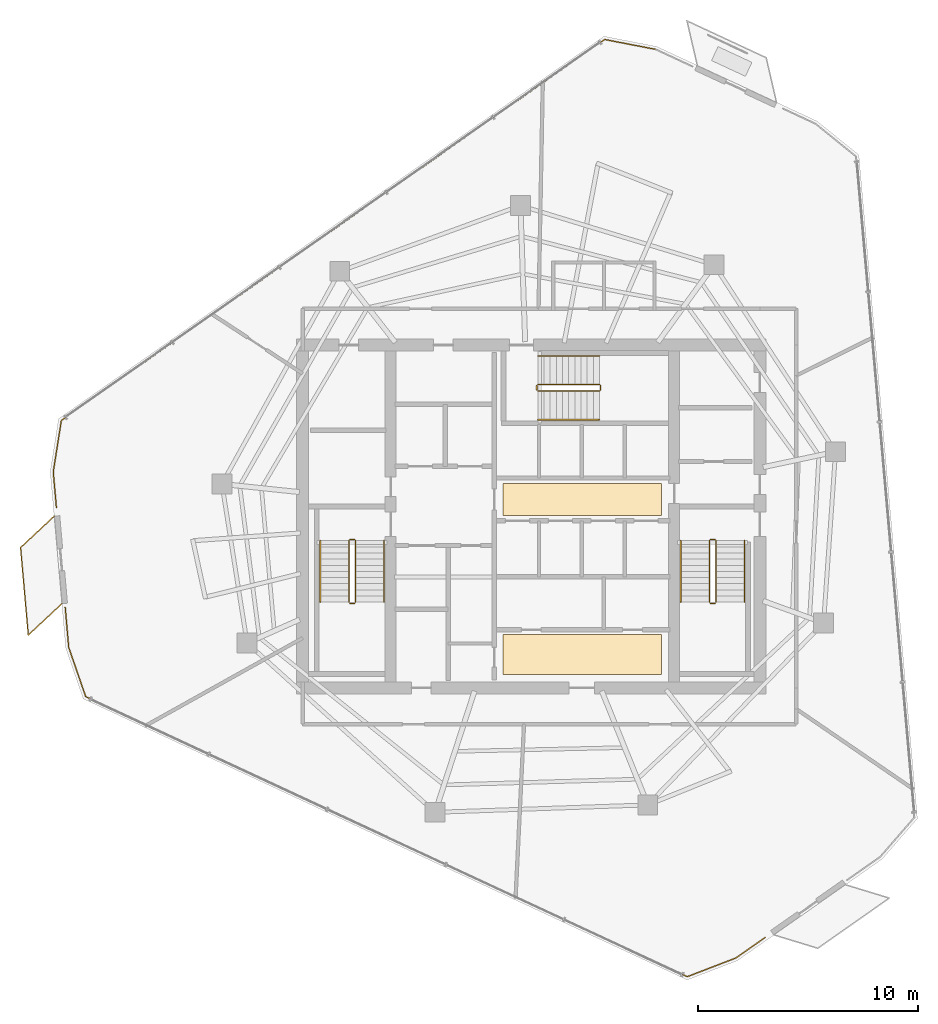
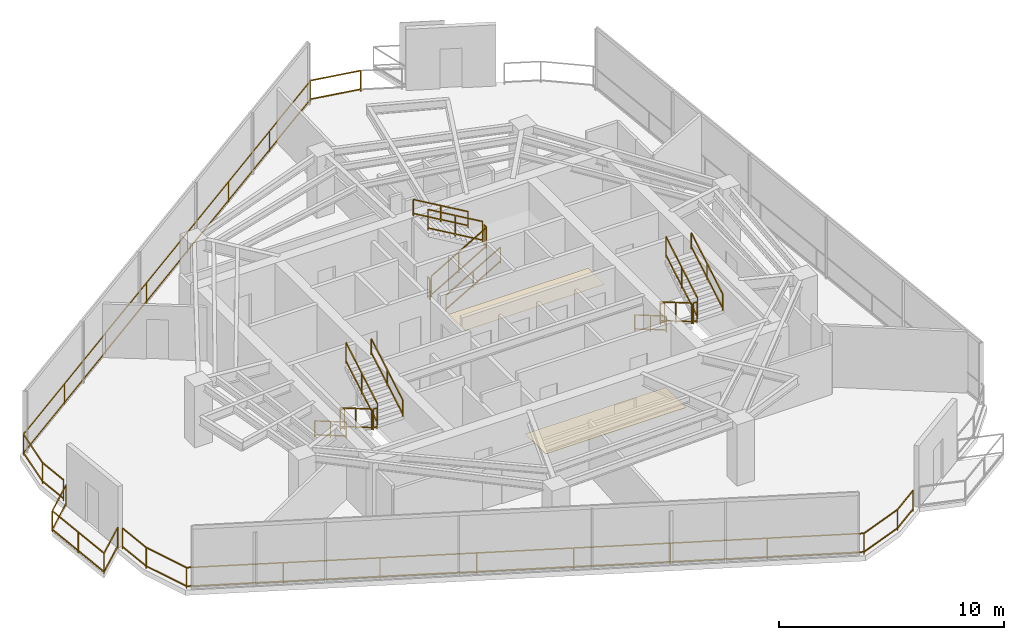
# One storey, part 19 of 20: 21 railings, 2 coverings.
"""IFC4 building model written with IfcOpenShell, lengths in metres."""

from ifc_helpers import new_model, si_unit, direction, frame, origin, origin_2d, place, context, subcontext, project, spatial, rectangle, extrude, material, layer, layer_set, type_object, element, save


model = new_model("IFC4")

# Units and contexts
model_context = context("Model", 3, precision=1e-05, world=origin(), true_north=direction((0.0, 1.0)))
body_context = subcontext(model_context, "Body", "Model", "MODEL_VIEW")
ifc_project = project(units=[si_unit("LENGTHUNIT", "METRE"), si_unit("AREAUNIT", "SQUARE_METRE"), si_unit("VOLUMEUNIT", "CUBIC_METRE"), si_unit("PLANEANGLEUNIT", "RADIAN"), si_unit("MASSUNIT", "GRAM", prefix="KILO")], contexts=[model_context])

# Site, building, storey
site_placement = place(None, origin())
site = spatial("IfcSite", under=ifc_project, at=site_placement, CompositionType="ELEMENT")
building_placement = place(site_placement, origin())
building = spatial("IfcBuilding", under=site, at=building_placement, Name="Qarnah Convention Tower", CompositionType="ELEMENT")
storey_placement = place(building_placement, frame((0.0, 0.0, 198.60009765625)))
storey = spatial("IfcBuildingStorey", under=building, at=storey_placement, Name="L53", CompositionType="ELEMENT", Elevation=198.60009765625)

# Coverings
ifc_material_1 = material(Name="Mineral fibre acoustic ceiling")
ifc_layer_1 = layer(ifc_material_1, 0.02001953125)
ifc_layer_set_1 = layer_set([ifc_layer_1], Name="Mineral fibre acoustic ceiling")
covering_type_1 = type_object("IfcCoveringType", Name="COV-CEIL-20", PredefinedType="CEILING", material=ifc_layer_set_1)
covering_1_placement = place(storey_placement, frame((39.52001953125, 27.179931640625, 2.289794921875), z_axis=(0.0, 0.0, 1.0), x_axis=(1.0, 0.0, 0.0)))
element("IfcCovering", 1, at=covering_1_placement, inside=storey, type_object=covering_type_1, Name="L53 lift lobby acoustic ceiling", PredefinedType="CEILING", context=body_context, shape_type="SweptSolid", body=[
    extrude(rectangle(XDim=7.199951171875, YDim=1.449951171875, at=origin_2d()), origin(), (0.0, 0.0, 1.0), 0.02001953125),
])
ifc_material_2 = material(Name="Porcelain stone floor tile", Category="masonry")
ifc_layer_2 = layer(ifc_material_2, 0.02001953125)
ifc_layer_set_2 = layer_set([ifc_layer_2], Name="Porcelain stone floor tile")
covering_type_2 = type_object("IfcCoveringType", Name="COV-FLOOR-20", PredefinedType="FLOORING", material=ifc_layer_set_2)
covering_2_placement = place(storey_placement, frame((39.52001953125, 20.1201171875, 0.0), z_axis=(0.0, 0.0, 1.0), x_axis=(1.0, 0.0, 0.0)))
element("IfcCovering", 2, at=covering_2_placement, inside=storey, type_object=covering_type_2, Name="L53 lift lobby porcelain stone flooring", PredefinedType="FLOORING", context=body_context, shape_type="SweptSolid", body=[
    extrude(rectangle(XDim=7.199951171875, YDim=1.800048828125, at=origin_2d()), origin(), (0.0, 0.0, 1.0), 0.02001953125),
])

# Railings
ifc_material_3 = material(Name="Black anodised aluminium", Category="aluminium")
railing_type_1 = type_object("IfcRailingType", Name="RL-EXT-GUARD-1150", PredefinedType="GUARDRAIL", material=ifc_material_3)
railing_1_placement = place(storey_placement, frame((47.837890625, 7.2490234375, 0.0)))
element("IfcRailing", 3, at=railing_1_placement, inside=storey, type_object=railing_type_1, Name="L53 slab-edge perimeter safety guard 03", PredefinedType="GUARDRAIL", context=body_context, shape_type="SweptSolid", body=[
    extrude(rectangle(XDim=0.048095703125, YDim=0.048095703125, at=origin_2d()), frame((0.0, 0.0, 1.1259765625), z_axis=(-0.818673304967, -0.574259540394, 0.0), x_axis=(0.574259540394, -0.818673304967, 0.0)), (0.0, 0.0, 1.0), 1.623291015625),
    extrude(rectangle(XDim=0.048095703125, YDim=0.048095703125, at=origin_2d()), frame((0.0, 0.0, 0.1201171875), z_axis=(-0.818673304967, -0.574259540394, 0.0), x_axis=(0.574259540394, -0.818673304967, 0.0)), (0.0, 0.0, 1.0), 1.623291015625),
    extrude(rectangle(XDim=0.048095703125, YDim=0.048095703125, at=origin_2d()), frame((-1.328857421875, -0.93212890625, 1.1259765625), z_axis=(-0.933364207518, -0.358930712149, 0.0), x_axis=(0.358930712149, -0.933364207518, 0.0)), (0.0, 0.0, 1.0), 2.36767578125),
    extrude(rectangle(XDim=0.048095703125, YDim=0.048095703125, at=origin_2d()), frame((-1.328857421875, -0.93212890625, 0.1201171875), z_axis=(-0.933364207518, -0.358930712149, 0.0), x_axis=(0.358930712149, -0.933364207518, 0.0)), (0.0, 0.0, 1.0), 2.36767578125),
    extrude(rectangle(XDim=0.048095703125, YDim=0.048095703125, at=origin_2d()), frame((-3.538818359375, -1.781982421875, 1.1259765625), z_axis=(-0.906605641228, 0.421978922808, 0.0), x_axis=(-0.421978922808, -0.906605641228, 0.0)), (0.0, 0.0, 1.0), 30.1865234375),
    extrude(rectangle(XDim=0.048095703125, YDim=0.048095703125, at=origin_2d()), frame((-3.538818359375, -1.781982421875, 0.1201171875), z_axis=(-0.906605641228, 0.421978922808, 0.0), x_axis=(-0.421978922808, -0.906605641228, 0.0)), (0.0, 0.0, 1.0), 30.1865234375),
    extrude(rectangle(XDim=0.048095703125, YDim=0.048095703125, at=origin_2d()), frame((-30.906005859375, 10.9560546875, 1.1259765625), z_axis=(-0.326238686315, 0.945287426951, 0.0), x_axis=(-0.945287426951, -0.326238686315, 0.0)), (0.0, 0.0, 1.0), 2.3662109375),
    extrude(rectangle(XDim=0.048095703125, YDim=0.048095703125, at=origin_2d()), frame((-30.906005859375, 10.9560546875, 0.1201171875), z_axis=(-0.326238686315, 0.945287426951, 0.0), x_axis=(-0.945287426951, -0.326238686315, 0.0)), (0.0, 0.0, 1.0), 2.3662109375),
    extrude(rectangle(XDim=0.048095703125, YDim=0.048095703125, at=origin_2d()), frame((-31.677978515625, 13.19287109375, 1.1259765625), z_axis=(-0.087668622896, 0.996149693851, 0.0), x_axis=(-0.996149693851, -0.087668622896, 0.0)), (0.0, 0.0, 1.0), 1.835205078125),
    extrude(rectangle(XDim=0.048095703125, YDim=0.048095703125, at=origin_2d()), frame((-31.677978515625, 13.19287109375, 0.1201171875), z_axis=(-0.087668622896, 0.996149693851, 0.0), x_axis=(-0.996149693851, -0.087668622896, 0.0)), (0.0, 0.0, 1.0), 1.835205078125),
    extrude(rectangle(XDim=0.0419921875, YDim=0.0419921875, at=origin_2d()), origin(), (0.0, 0.0, 1.0), 1.101806640625),
    extrude(rectangle(XDim=0.0419921875, YDim=0.0419921875, at=origin_2d()), frame((-1.328857421875, -0.93212890625, 0.0)), (0.0, 0.0, 1.0), 1.101806640625),
    extrude(rectangle(XDim=0.0419921875, YDim=0.0419921875, at=origin_2d()), frame((-3.538818359375, -1.781982421875, 0.0)), (0.0, 0.0, 1.0), 1.101806640625),
    extrude(rectangle(XDim=0.0419921875, YDim=0.0419921875, at=origin_2d()), frame((-7.448486328125, 0.037841796875, 0.0)), (0.0, 0.0, 1.0), 1.101806640625),
    extrude(rectangle(XDim=0.0419921875, YDim=0.0419921875, at=origin_2d()), frame((-11.35791015625, 1.857421875, 0.0)), (0.0, 0.0, 1.0), 1.101806640625),
    extrude(rectangle(XDim=0.0419921875, YDim=0.0419921875, at=origin_2d()), frame((-15.267578125, 3.67724609375, 0.0)), (0.0, 0.0, 1.0), 1.101806640625),
    extrude(rectangle(XDim=0.0419921875, YDim=0.0419921875, at=origin_2d()), frame((-19.17724609375, 5.496826171875, 0.0)), (0.0, 0.0, 1.0), 1.101806640625),
    extrude(rectangle(XDim=0.0419921875, YDim=0.0419921875, at=origin_2d()), frame((-23.0869140625, 7.316650390625, 0.0)), (0.0, 0.0, 1.0), 1.101806640625),
    extrude(rectangle(XDim=0.0419921875, YDim=0.0419921875, at=origin_2d()), frame((-26.996337890625, 9.13623046875, 0.0)), (0.0, 0.0, 1.0), 1.101806640625),
    extrude(rectangle(XDim=0.0419921875, YDim=0.0419921875, at=origin_2d()), frame((-30.906005859375, 10.9560546875, 0.0)), (0.0, 0.0, 1.0), 1.101806640625),
    extrude(rectangle(XDim=0.0419921875, YDim=0.0419921875, at=origin_2d()), frame((-31.677978515625, 13.19287109375, 0.0)), (0.0, 0.0, 1.0), 1.101806640625),
    extrude(rectangle(XDim=0.0419921875, YDim=0.0419921875, at=origin_2d()), frame((-31.8388671875, 15.02099609375, 0.0)), (0.0, 0.0, 1.0), 1.101806640625),
])
railing_2_placement = place(storey_placement, frame((15.59912109375, 26.81005859375, 0.0)))
element("IfcRailing", 4, at=railing_2_placement, inside=storey, type_object=railing_type_1, Name="L53 slab-edge perimeter safety guard 04", PredefinedType="GUARDRAIL", context=body_context, shape_type="SweptSolid", body=[
    extrude(rectangle(XDim=0.048095703125, YDim=0.048095703125, at=origin_2d()), frame((0.0, 0.0, 1.1259765625), z_axis=(-0.088135224566, 0.996108519284, 0.0), x_axis=(-0.996108519284, -0.088135224566, 0.0)), (0.0, 0.0, 1.0), 1.623291015625),
    extrude(rectangle(XDim=0.048095703125, YDim=0.048095703125, at=origin_2d()), frame((0.0, 0.0, 0.1201171875), z_axis=(-0.088135224566, 0.996108519284, 0.0), x_axis=(-0.996108519284, -0.088135224566, 0.0)), (0.0, 0.0, 1.0), 1.623291015625),
    extrude(rectangle(XDim=0.048095703125, YDim=0.048095703125, at=origin_2d()), frame((-0.14306640625, 1.616943359375, 1.1259765625), z_axis=(0.155380139055, 0.987854752677, 0.0), x_axis=(-0.987854752677, 0.155380139055, 0.0)), (0.0, 0.0, 1.0), 2.367919921875),
    extrude(rectangle(XDim=0.048095703125, YDim=0.048095703125, at=origin_2d()), frame((-0.14306640625, 1.616943359375, 0.1201171875), z_axis=(0.155380139055, 0.987854752677, 0.0), x_axis=(-0.987854752677, 0.155380139055, 0.0)), (0.0, 0.0, 1.0), 2.367919921875),
    extrude(rectangle(XDim=0.048095703125, YDim=0.048095703125, at=origin_2d()), frame((0.224853515625, 3.9560546875, 1.1259765625), z_axis=(0.818771528049, 0.574119486567, 0.0), x_axis=(-0.574119486567, 0.818771528049, 0.0)), (0.0, 0.0, 1.0), 30.186767578125),
    extrude(rectangle(XDim=0.048095703125, YDim=0.048095703125, at=origin_2d()), frame((0.224853515625, 3.9560546875, 0.1201171875), z_axis=(0.818771528049, 0.574119486567, 0.0), x_axis=(-0.574119486567, 0.818771528049, 0.0)), (0.0, 0.0, 1.0), 30.186767578125),
    extrude(rectangle(XDim=0.048095703125, YDim=0.048095703125, at=origin_2d()), frame((24.94091796875, 21.286865234375, 1.1259765625), z_axis=(0.981753140481, -0.190159856848, 0.0), x_axis=(0.190159856848, 0.981753140481, 0.0)), (0.0, 0.0, 1.0), 2.3662109375),
    extrude(rectangle(XDim=0.048095703125, YDim=0.048095703125, at=origin_2d()), frame((24.94091796875, 21.286865234375, 0.1201171875), z_axis=(0.981753140481, -0.190159856848, 0.0), x_axis=(0.190159856848, 0.981753140481, 0.0)), (0.0, 0.0, 1.0), 2.3662109375),
    extrude(rectangle(XDim=0.0419921875, YDim=0.0419921875, at=origin_2d()), origin(), (0.0, 0.0, 1.0), 1.101806640625),
    extrude(rectangle(XDim=0.0419921875, YDim=0.0419921875, at=origin_2d()), frame((-0.14306640625, 1.616943359375, 0.0)), (0.0, 0.0, 1.0), 1.101806640625),
    extrude(rectangle(XDim=0.0419921875, YDim=0.0419921875, at=origin_2d()), frame((0.224853515625, 3.9560546875, 0.0)), (0.0, 0.0, 1.0), 1.101806640625),
    extrude(rectangle(XDim=0.0419921875, YDim=0.0419921875, at=origin_2d()), frame((3.755615234375, 6.431884765625, 0.0)), (0.0, 0.0, 1.0), 1.101806640625),
    extrude(rectangle(XDim=0.0419921875, YDim=0.0419921875, at=origin_2d()), frame((7.28662109375, 8.90771484375, 0.0)), (0.0, 0.0, 1.0), 1.101806640625),
    extrude(rectangle(XDim=0.0419921875, YDim=0.0419921875, at=origin_2d()), frame((10.8173828125, 11.383544921875, 0.0)), (0.0, 0.0, 1.0), 1.101806640625),
    extrude(rectangle(XDim=0.0419921875, YDim=0.0419921875, at=origin_2d()), frame((14.348388671875, 13.859375, 0.0)), (0.0, 0.0, 1.0), 1.101806640625),
    extrude(rectangle(XDim=0.0419921875, YDim=0.0419921875, at=origin_2d()), frame((17.879150390625, 16.335205078125, 0.0)), (0.0, 0.0, 1.0), 1.101806640625),
    extrude(rectangle(XDim=0.0419921875, YDim=0.0419921875, at=origin_2d()), frame((21.41015625, 18.81103515625, 0.0)), (0.0, 0.0, 1.0), 1.101806640625),
    extrude(rectangle(XDim=0.0419921875, YDim=0.0419921875, at=origin_2d()), frame((24.94091796875, 21.286865234375, 0.0)), (0.0, 0.0, 1.0), 1.101806640625),
    extrude(rectangle(XDim=0.0419921875, YDim=0.0419921875, at=origin_2d()), frame((27.263916015625, 20.8369140625, 0.0)), (0.0, 0.0, 1.0), 1.101806640625),
])
railing_3_placement = place(storey_placement, frame((15.84912109375, 22.430908203125, 0.0)))
element("IfcRailing", 5, at=railing_3_placement, inside=storey, type_object=railing_type_1, Name="L53 balcony safety guard BAL-L53-C2", PredefinedType="GUARDRAIL", context=body_context, shape_type="SweptSolid", body=[
    extrude(rectangle(XDim=0.048095703125, YDim=0.048095703125, at=origin_2d()), frame((0.0, 0.0, 1.1259765625), z_axis=(-0.730834185258, -0.682555048079, 0.0), x_axis=(0.682555048079, -0.730834185258, 0.0)), (0.0, 0.0, 1.0), 2.093505859375),
    extrude(rectangle(XDim=0.048095703125, YDim=0.048095703125, at=origin_2d()), frame((0.0, 0.0, 0.1201171875), z_axis=(-0.730834185258, -0.682555048079, 0.0), x_axis=(0.682555048079, -0.730834185258, 0.0)), (0.0, 0.0, 1.0), 2.093505859375),
    extrude(rectangle(XDim=0.048095703125, YDim=0.048095703125, at=origin_2d()), frame((-1.530029296875, -1.428955078125, 1.1259765625), z_axis=(-0.088020291634, 0.996118681815, 0.0), x_axis=(-0.996118681815, -0.088020291634, 0.0)), (0.0, 0.0, 1.0), 3.999755859375),
    extrude(rectangle(XDim=0.048095703125, YDim=0.048095703125, at=origin_2d()), frame((-1.530029296875, -1.428955078125, 0.1201171875), z_axis=(-0.088020291634, 0.996118681815, 0.0), x_axis=(-0.996118681815, -0.088020291634, 0.0)), (0.0, 0.0, 1.0), 3.999755859375),
    extrude(rectangle(XDim=0.048095703125, YDim=0.048095703125, at=origin_2d()), frame((-1.882080078125, 2.55517578125, 1.1259765625), z_axis=(0.731051391577, 0.682322403907, 0.0), x_axis=(-0.682322403907, 0.731051391577, 0.0)), (0.0, 0.0, 1.0), 2.09423828125),
    extrude(rectangle(XDim=0.048095703125, YDim=0.048095703125, at=origin_2d()), frame((-1.882080078125, 2.55517578125, 0.1201171875), z_axis=(0.731051391577, 0.682322403907, 0.0), x_axis=(-0.682322403907, 0.731051391577, 0.0)), (0.0, 0.0, 1.0), 2.09423828125),
    extrude(rectangle(XDim=0.0419921875, YDim=0.0419921875, at=origin_2d()), origin(), (0.0, 0.0, 1.0), 1.101806640625),
    extrude(rectangle(XDim=0.0419921875, YDim=0.0419921875, at=origin_2d()), frame((-1.530029296875, -1.428955078125, 0.0)), (0.0, 0.0, 1.0), 1.101806640625),
    extrude(rectangle(XDim=0.0419921875, YDim=0.0419921875, at=origin_2d()), frame((-1.7060546875, 0.56298828125, 0.0)), (0.0, 0.0, 1.0), 1.101806640625),
    extrude(rectangle(XDim=0.0419921875, YDim=0.0419921875, at=origin_2d()), frame((-1.882080078125, 2.55517578125, 0.0)), (0.0, 0.0, 1.0), 1.101806640625),
    extrude(rectangle(XDim=0.0419921875, YDim=0.0419921875, at=origin_2d()), frame((-0.35107421875, 3.984130859375, 0.0)), (0.0, 0.0, 1.0), 1.101806640625),
])
ifc_material_4 = material(Name="Structural steel S355JR", Category="steel")
railing_type_2 = type_object("IfcRailingType", Name="RL-STAIR-GUARD-1150", PredefinedType="GUARDRAIL", material=ifc_material_4)
railing_4_placement = place(storey_placement, frame((28.89990234375, 25.300048828125, 0.16357421875)))
element("IfcRailing", 6, at=railing_4_placement, inside=storey, type_object=railing_type_2, Name="L53 ST-1 stair guard 1", PredefinedType="GUARDRAIL", context=body_context, shape_type="SweptSolid", body=[
    extrude(rectangle(XDim=0.048095703125, YDim=0.048095703125, at=origin_2d()), frame((0.0, 0.0, 1.1259765625), z_axis=(0.0, -0.863393664356, 0.504530851732), x_axis=(1.0, 0.0, 0.0)), (0.0, 0.0, 1.0), 3.2431640625),
    extrude(rectangle(XDim=0.048095703125, YDim=0.048095703125, at=origin_2d()), frame((0.0, 0.0, 0.1201171875), z_axis=(0.0, -0.863393664356, 0.504530851732), x_axis=(1.0, 0.0, 0.0)), (0.0, 0.0, 1.0), 3.2431640625),
    extrude(rectangle(XDim=0.0419921875, YDim=0.0419921875, at=origin_2d()), origin(), (0.0, 0.0, 1.0), 1.101806640625),
    extrude(rectangle(XDim=0.0419921875, YDim=0.0419921875, at=origin_2d()), frame((0.0, -1.39990234375, 0.818115234375)), (0.0, 0.0, 1.0), 1.101806640625),
    extrude(rectangle(XDim=0.0419921875, YDim=0.0419921875, at=origin_2d()), frame((0.0, -2.800048828125, 1.63623046875)), (0.0, 0.0, 1.0), 1.101806640625),
])
railing_5_placement = place(storey_placement, frame((28.949951171875, 22.449951171875, 1.7998046875)))
element("IfcRailing", 7, at=railing_5_placement, inside=storey, type_object=railing_type_2, Name="L53 ST-1 stair guard 2", PredefinedType="GUARDRAIL", context=body_context, shape_type="SweptSolid", body=[
    extrude(rectangle(XDim=0.048095703125, YDim=0.048095703125, at=origin_2d()), frame((0.0, 0.0, 1.1259765625), z_axis=(1.0, 0.0, 0.0), x_axis=(0.0, 1.0, 0.0)), (0.0, 0.0, 1.0), 0.199951171875),
    extrude(rectangle(XDim=0.048095703125, YDim=0.048095703125, at=origin_2d()), frame((0.0, 0.0, 0.1201171875), z_axis=(1.0, 0.0, 0.0), x_axis=(0.0, 1.0, 0.0)), (0.0, 0.0, 1.0), 0.199951171875),
    extrude(rectangle(XDim=0.0419921875, YDim=0.0419921875, at=origin_2d()), origin(), (0.0, 0.0, 1.0), 1.101806640625),
    extrude(rectangle(XDim=0.0419921875, YDim=0.0419921875, at=origin_2d()), frame((0.199951171875, 0.0, 0.0)), (0.0, 0.0, 1.0), 1.101806640625),
])
railing_6_placement = place(storey_placement, frame((29.199951171875, 22.5, 1.963623046875)))
element("IfcRailing", 8, at=railing_6_placement, inside=storey, type_object=railing_type_2, Name="L53 ST-1 stair guard 3", PredefinedType="GUARDRAIL", context=body_context, shape_type="SweptSolid", body=[
    extrude(rectangle(XDim=0.048095703125, YDim=0.048095703125, at=origin_2d()), frame((0.0, 0.0, 1.1259765625), z_axis=(0.0, 0.863393664356, 0.504530851732), x_axis=(-1.0, 0.0, 0.0)), (0.0, 0.0, 1.0), 3.2431640625),
    extrude(rectangle(XDim=0.048095703125, YDim=0.048095703125, at=origin_2d()), frame((0.0, 0.0, 0.1201171875), z_axis=(0.0, 0.863393664356, 0.504530851732), x_axis=(-1.0, 0.0, 0.0)), (0.0, 0.0, 1.0), 3.2431640625),
    extrude(rectangle(XDim=0.0419921875, YDim=0.0419921875, at=origin_2d()), origin(), (0.0, 0.0, 1.0), 1.101806640625),
    extrude(rectangle(XDim=0.0419921875, YDim=0.0419921875, at=origin_2d()), frame((0.0, 1.39990234375, 0.818115234375)), (0.0, 0.0, 1.0), 1.101806640625),
    extrude(rectangle(XDim=0.0419921875, YDim=0.0419921875, at=origin_2d()), frame((0.0, 2.800048828125, 1.63623046875)), (0.0, 0.0, 1.0), 1.101806640625),
])
railing_7_placement = place(storey_placement, frame((28.949951171875, 25.35009765625, 0.0)))
element("IfcRailing", 9, at=railing_7_placement, inside=storey, type_object=railing_type_2, Name="L53 ST-1 stair guard 4", PredefinedType="GUARDRAIL", context=body_context, shape_type="SweptSolid", body=[
    extrude(rectangle(XDim=0.048095703125, YDim=0.048095703125, at=origin_2d()), frame((0.0, 0.0, 1.1259765625), z_axis=(1.0, 0.0, 0.0), x_axis=(0.0, 1.0, 0.0)), (0.0, 0.0, 1.0), 0.199951171875),
    extrude(rectangle(XDim=0.048095703125, YDim=0.048095703125, at=origin_2d()), frame((0.0, 0.0, 0.1201171875), z_axis=(1.0, 0.0, 0.0), x_axis=(0.0, 1.0, 0.0)), (0.0, 0.0, 1.0), 0.199951171875),
    extrude(rectangle(XDim=0.0419921875, YDim=0.0419921875, at=origin_2d()), origin(), (0.0, 0.0, 1.0), 1.101806640625),
    extrude(rectangle(XDim=0.0419921875, YDim=0.0419921875, at=origin_2d()), frame((0.199951171875, 0.0, 0.0)), (0.0, 0.0, 1.0), 1.101806640625),
])
railing_8_placement = place(storey_placement, frame((45.300048828125, 25.300048828125, 0.16357421875)))
element("IfcRailing", 10, at=railing_8_placement, inside=storey, type_object=railing_type_2, Name="L53 ST-2 stair guard 1", PredefinedType="GUARDRAIL", context=body_context, shape_type="SweptSolid", body=[
    extrude(rectangle(XDim=0.048095703125, YDim=0.048095703125, at=origin_2d()), frame((0.0, 0.0, 1.1259765625), z_axis=(0.0, -0.863393664356, 0.504530851732), x_axis=(1.0, 0.0, 0.0)), (0.0, 0.0, 1.0), 3.2431640625),
    extrude(rectangle(XDim=0.048095703125, YDim=0.048095703125, at=origin_2d()), frame((0.0, 0.0, 0.1201171875), z_axis=(0.0, -0.863393664356, 0.504530851732), x_axis=(1.0, 0.0, 0.0)), (0.0, 0.0, 1.0), 3.2431640625),
    extrude(rectangle(XDim=0.0419921875, YDim=0.0419921875, at=origin_2d()), origin(), (0.0, 0.0, 1.0), 1.101806640625),
    extrude(rectangle(XDim=0.0419921875, YDim=0.0419921875, at=origin_2d()), frame((0.0, -1.39990234375, 0.818115234375)), (0.0, 0.0, 1.0), 1.101806640625),
    extrude(rectangle(XDim=0.0419921875, YDim=0.0419921875, at=origin_2d()), frame((0.0, -2.800048828125, 1.63623046875)), (0.0, 0.0, 1.0), 1.101806640625),
])
railing_9_placement = place(storey_placement, frame((45.35009765625, 22.449951171875, 1.7998046875)))
element("IfcRailing", 11, at=railing_9_placement, inside=storey, type_object=railing_type_2, Name="L53 ST-2 stair guard 2", PredefinedType="GUARDRAIL", context=body_context, shape_type="SweptSolid", body=[
    extrude(rectangle(XDim=0.048095703125, YDim=0.048095703125, at=origin_2d()), frame((0.0, 0.0, 1.1259765625), z_axis=(1.0, 0.0, 0.0), x_axis=(0.0, 1.0, 0.0)), (0.0, 0.0, 1.0), 0.199951171875),
    extrude(rectangle(XDim=0.048095703125, YDim=0.048095703125, at=origin_2d()), frame((0.0, 0.0, 0.1201171875), z_axis=(1.0, 0.0, 0.0), x_axis=(0.0, 1.0, 0.0)), (0.0, 0.0, 1.0), 0.199951171875),
    extrude(rectangle(XDim=0.0419921875, YDim=0.0419921875, at=origin_2d()), origin(), (0.0, 0.0, 1.0), 1.101806640625),
    extrude(rectangle(XDim=0.0419921875, YDim=0.0419921875, at=origin_2d()), frame((0.199951171875, 0.0, 0.0)), (0.0, 0.0, 1.0), 1.101806640625),
])
railing_10_placement = place(storey_placement, frame((45.60009765625, 22.5, 1.963623046875)))
element("IfcRailing", 12, at=railing_10_placement, inside=storey, type_object=railing_type_2, Name="L53 ST-2 stair guard 3", PredefinedType="GUARDRAIL", context=body_context, shape_type="SweptSolid", body=[
    extrude(rectangle(XDim=0.048095703125, YDim=0.048095703125, at=origin_2d()), frame((0.0, 0.0, 1.1259765625), z_axis=(0.0, 0.863393664356, 0.504530851732), x_axis=(-1.0, 0.0, 0.0)), (0.0, 0.0, 1.0), 3.2431640625),
    extrude(rectangle(XDim=0.048095703125, YDim=0.048095703125, at=origin_2d()), frame((0.0, 0.0, 0.1201171875), z_axis=(0.0, 0.863393664356, 0.504530851732), x_axis=(-1.0, 0.0, 0.0)), (0.0, 0.0, 1.0), 3.2431640625),
    extrude(rectangle(XDim=0.0419921875, YDim=0.0419921875, at=origin_2d()), origin(), (0.0, 0.0, 1.0), 1.101806640625),
    extrude(rectangle(XDim=0.0419921875, YDim=0.0419921875, at=origin_2d()), frame((0.0, 1.39990234375, 0.818115234375)), (0.0, 0.0, 1.0), 1.101806640625),
    extrude(rectangle(XDim=0.0419921875, YDim=0.0419921875, at=origin_2d()), frame((0.0, 2.800048828125, 1.63623046875)), (0.0, 0.0, 1.0), 1.101806640625),
])
railing_11_placement = place(storey_placement, frame((45.35009765625, 25.35009765625, 0.0)))
element("IfcRailing", 13, at=railing_11_placement, inside=storey, type_object=railing_type_2, Name="L53 ST-2 stair guard 4", PredefinedType="GUARDRAIL", context=body_context, shape_type="SweptSolid", body=[
    extrude(rectangle(XDim=0.048095703125, YDim=0.048095703125, at=origin_2d()), frame((0.0, 0.0, 1.1259765625), z_axis=(1.0, 0.0, 0.0), x_axis=(0.0, 1.0, 0.0)), (0.0, 0.0, 1.0), 0.199951171875),
    extrude(rectangle(XDim=0.048095703125, YDim=0.048095703125, at=origin_2d()), frame((0.0, 0.0, 0.1201171875), z_axis=(1.0, 0.0, 0.0), x_axis=(0.0, 1.0, 0.0)), (0.0, 0.0, 1.0), 0.199951171875),
    extrude(rectangle(XDim=0.0419921875, YDim=0.0419921875, at=origin_2d()), origin(), (0.0, 0.0, 1.0), 1.101806640625),
    extrude(rectangle(XDim=0.0419921875, YDim=0.0419921875, at=origin_2d()), frame((0.199951171875, 0.0, 0.0)), (0.0, 0.0, 1.0), 1.101806640625),
])
railing_12_placement = place(storey_placement, frame((37.5, 32.10009765625, 0.16357421875)))
element("IfcRailing", 14, at=railing_12_placement, inside=storey, type_object=railing_type_2, Name="L53 ST-3 stair guard 1", PredefinedType="GUARDRAIL", context=body_context, shape_type="SweptSolid", body=[
    extrude(rectangle(XDim=0.048095703125, YDim=0.048095703125, at=origin_2d()), frame((0.0, 0.0, 1.1259765625), z_axis=(0.863393664356, 0.0, 0.504530851732), x_axis=(0.0, 1.0, 0.0)), (0.0, 0.0, 1.0), 3.2431640625),
    extrude(rectangle(XDim=0.048095703125, YDim=0.048095703125, at=origin_2d()), frame((0.0, 0.0, 0.1201171875), z_axis=(0.863393664356, 0.0, 0.504530851732), x_axis=(0.0, 1.0, 0.0)), (0.0, 0.0, 1.0), 3.2431640625),
    extrude(rectangle(XDim=0.0419921875, YDim=0.0419921875, at=origin_2d()), origin(), (0.0, 0.0, 1.0), 1.101806640625),
    extrude(rectangle(XDim=0.0419921875, YDim=0.0419921875, at=origin_2d()), frame((1.39990234375, 0.0, 0.818115234375)), (0.0, 0.0, 1.0), 1.101806640625),
    extrude(rectangle(XDim=0.0419921875, YDim=0.0419921875, at=origin_2d()), frame((2.800048828125, 0.0, 1.63623046875)), (0.0, 0.0, 1.0), 1.101806640625),
])
railing_13_placement = place(storey_placement, frame((40.35009765625, 32.14990234375, 1.7998046875)))
element("IfcRailing", 15, at=railing_13_placement, inside=storey, type_object=railing_type_2, Name="L53 ST-3 stair guard 2", PredefinedType="GUARDRAIL", context=body_context, shape_type="SweptSolid", body=[
    extrude(rectangle(XDim=0.048095703125, YDim=0.048095703125, at=origin_2d()), frame((0.0, 0.0, 1.1259765625), z_axis=(0.0, 1.0, 0.0), x_axis=(-1.0, 0.0, 0.0)), (0.0, 0.0, 1.0), 0.2001953125),
    extrude(rectangle(XDim=0.048095703125, YDim=0.048095703125, at=origin_2d()), frame((0.0, 0.0, 0.1201171875), z_axis=(0.0, 1.0, 0.0), x_axis=(-1.0, 0.0, 0.0)), (0.0, 0.0, 1.0), 0.2001953125),
    extrude(rectangle(XDim=0.0419921875, YDim=0.0419921875, at=origin_2d()), origin(), (0.0, 0.0, 1.0), 1.101806640625),
    extrude(rectangle(XDim=0.0419921875, YDim=0.0419921875, at=origin_2d()), frame((0.0, 0.2001953125, 0.0)), (0.0, 0.0, 1.0), 1.101806640625),
])
railing_14_placement = place(storey_placement, frame((40.300048828125, 32.39990234375, 1.963623046875)))
element("IfcRailing", 16, at=railing_14_placement, inside=storey, type_object=railing_type_2, Name="L53 ST-3 stair guard 3", PredefinedType="GUARDRAIL", context=body_context, shape_type="SweptSolid", body=[
    extrude(rectangle(XDim=0.048095703125, YDim=0.048095703125, at=origin_2d()), frame((0.0, 0.0, 1.1259765625), z_axis=(-0.863393664356, 0.0, 0.504530851732), x_axis=(0.0, -1.0, 0.0)), (0.0, 0.0, 1.0), 3.2431640625),
    extrude(rectangle(XDim=0.048095703125, YDim=0.048095703125, at=origin_2d()), frame((0.0, 0.0, 0.1201171875), z_axis=(-0.863393664356, 0.0, 0.504530851732), x_axis=(0.0, -1.0, 0.0)), (0.0, 0.0, 1.0), 3.2431640625),
    extrude(rectangle(XDim=0.0419921875, YDim=0.0419921875, at=origin_2d()), origin(), (0.0, 0.0, 1.0), 1.101806640625),
    extrude(rectangle(XDim=0.0419921875, YDim=0.0419921875, at=origin_2d()), frame((-1.39990234375, 0.0, 0.818115234375)), (0.0, 0.0, 1.0), 1.101806640625),
    extrude(rectangle(XDim=0.0419921875, YDim=0.0419921875, at=origin_2d()), frame((-2.800048828125, 0.0, 1.63623046875)), (0.0, 0.0, 1.0), 1.101806640625),
])
railing_15_placement = place(storey_placement, frame((37.449951171875, 32.14990234375, 0.0)))
element("IfcRailing", 17, at=railing_15_placement, inside=storey, type_object=railing_type_2, Name="L53 ST-3 stair guard 4", PredefinedType="GUARDRAIL", context=body_context, shape_type="SweptSolid", body=[
    extrude(rectangle(XDim=0.048095703125, YDim=0.048095703125, at=origin_2d()), frame((0.0, 0.0, 1.1259765625), z_axis=(0.0, 1.0, 0.0), x_axis=(-1.0, 0.0, 0.0)), (0.0, 0.0, 1.0), 0.2001953125),
    extrude(rectangle(XDim=0.048095703125, YDim=0.048095703125, at=origin_2d()), frame((0.0, 0.0, 0.1201171875), z_axis=(0.0, 1.0, 0.0), x_axis=(-1.0, 0.0, 0.0)), (0.0, 0.0, 1.0), 0.2001953125),
    extrude(rectangle(XDim=0.0419921875, YDim=0.0419921875, at=origin_2d()), origin(), (0.0, 0.0, 1.0), 1.101806640625),
    extrude(rectangle(XDim=0.0419921875, YDim=0.0419921875, at=origin_2d()), frame((0.0, 0.2001953125, 0.0)), (0.0, 0.0, 1.0), 1.101806640625),
])
railing_type_3 = type_object("IfcRailingType", Name="RL-STAIR-HAND-900", PredefinedType="HANDRAIL", material=ifc_material_4)
railing_16_placement = place(storey_placement, frame((27.60009765625, 25.300048828125, 0.16357421875)))
element("IfcRailing", 18, at=railing_16_placement, inside=storey, type_object=railing_type_3, Name="L53 ST-1 stair handrail 1", PredefinedType="HANDRAIL", context=body_context, shape_type="SweptSolid", body=[
    extrude(rectangle(XDim=0.048095703125, YDim=0.048095703125, at=origin_2d()), frame((0.0, 0.0, 0.8759765625), z_axis=(0.0, -0.863393664356, 0.504530851732), x_axis=(1.0, 0.0, 0.0)), (0.0, 0.0, 1.0), 3.2431640625),
    extrude(rectangle(XDim=0.048095703125, YDim=0.048095703125, at=origin_2d()), frame((0.0, 0.0, 0.1201171875), z_axis=(0.0, -0.863393664356, 0.504530851732), x_axis=(1.0, 0.0, 0.0)), (0.0, 0.0, 1.0), 3.2431640625),
    extrude(rectangle(XDim=0.0419921875, YDim=0.0419921875, at=origin_2d()), origin(), (0.0, 0.0, 1.0), 0.851806640625),
    extrude(rectangle(XDim=0.0419921875, YDim=0.0419921875, at=origin_2d()), frame((0.0, -1.39990234375, 0.818115234375)), (0.0, 0.0, 1.0), 0.851806640625),
    extrude(rectangle(XDim=0.0419921875, YDim=0.0419921875, at=origin_2d()), frame((0.0, -2.800048828125, 1.63623046875)), (0.0, 0.0, 1.0), 0.851806640625),
])
railing_17_placement = place(storey_placement, frame((30.5, 22.5, 1.963623046875)))
element("IfcRailing", 19, at=railing_17_placement, inside=storey, type_object=railing_type_3, Name="L53 ST-1 stair handrail 2", PredefinedType="HANDRAIL", context=body_context, shape_type="SweptSolid", body=[
    extrude(rectangle(XDim=0.048095703125, YDim=0.048095703125, at=origin_2d()), frame((0.0, 0.0, 0.8759765625), z_axis=(0.0, 0.863393664356, 0.504530851732), x_axis=(-1.0, 0.0, 0.0)), (0.0, 0.0, 1.0), 3.2431640625),
    extrude(rectangle(XDim=0.048095703125, YDim=0.048095703125, at=origin_2d()), frame((0.0, 0.0, 0.1201171875), z_axis=(0.0, 0.863393664356, 0.504530851732), x_axis=(-1.0, 0.0, 0.0)), (0.0, 0.0, 1.0), 3.2431640625),
    extrude(rectangle(XDim=0.0419921875, YDim=0.0419921875, at=origin_2d()), origin(), (0.0, 0.0, 1.0), 0.851806640625),
    extrude(rectangle(XDim=0.0419921875, YDim=0.0419921875, at=origin_2d()), frame((0.0, 1.39990234375, 0.818115234375)), (0.0, 0.0, 1.0), 0.851806640625),
    extrude(rectangle(XDim=0.0419921875, YDim=0.0419921875, at=origin_2d()), frame((0.0, 2.800048828125, 1.63623046875)), (0.0, 0.0, 1.0), 0.851806640625),
])
railing_18_placement = place(storey_placement, frame((44.0, 25.300048828125, 0.16357421875)))
element("IfcRailing", 20, at=railing_18_placement, inside=storey, type_object=railing_type_3, Name="L53 ST-2 stair handrail 1", PredefinedType="HANDRAIL", context=body_context, shape_type="SweptSolid", body=[
    extrude(rectangle(XDim=0.048095703125, YDim=0.048095703125, at=origin_2d()), frame((0.0, 0.0, 0.8759765625), z_axis=(0.0, -0.863393664356, 0.504530851732), x_axis=(1.0, 0.0, 0.0)), (0.0, 0.0, 1.0), 3.2431640625),
    extrude(rectangle(XDim=0.048095703125, YDim=0.048095703125, at=origin_2d()), frame((0.0, 0.0, 0.1201171875), z_axis=(0.0, -0.863393664356, 0.504530851732), x_axis=(1.0, 0.0, 0.0)), (0.0, 0.0, 1.0), 3.2431640625),
    extrude(rectangle(XDim=0.0419921875, YDim=0.0419921875, at=origin_2d()), origin(), (0.0, 0.0, 1.0), 0.851806640625),
    extrude(rectangle(XDim=0.0419921875, YDim=0.0419921875, at=origin_2d()), frame((0.0, -1.39990234375, 0.818115234375)), (0.0, 0.0, 1.0), 0.851806640625),
    extrude(rectangle(XDim=0.0419921875, YDim=0.0419921875, at=origin_2d()), frame((0.0, -2.800048828125, 1.63623046875)), (0.0, 0.0, 1.0), 0.851806640625),
])
railing_19_placement = place(storey_placement, frame((46.89990234375, 22.5, 1.963623046875)))
element("IfcRailing", 21, at=railing_19_placement, inside=storey, type_object=railing_type_3, Name="L53 ST-2 stair handrail 2", PredefinedType="HANDRAIL", context=body_context, shape_type="SweptSolid", body=[
    extrude(rectangle(XDim=0.048095703125, YDim=0.048095703125, at=origin_2d()), frame((0.0, 0.0, 0.8759765625), z_axis=(0.0, 0.863393664356, 0.504530851732), x_axis=(-1.0, 0.0, 0.0)), (0.0, 0.0, 1.0), 3.2431640625),
    extrude(rectangle(XDim=0.048095703125, YDim=0.048095703125, at=origin_2d()), frame((0.0, 0.0, 0.1201171875), z_axis=(0.0, 0.863393664356, 0.504530851732), x_axis=(-1.0, 0.0, 0.0)), (0.0, 0.0, 1.0), 3.2431640625),
    extrude(rectangle(XDim=0.0419921875, YDim=0.0419921875, at=origin_2d()), origin(), (0.0, 0.0, 1.0), 0.851806640625),
    extrude(rectangle(XDim=0.0419921875, YDim=0.0419921875, at=origin_2d()), frame((0.0, 1.39990234375, 0.818115234375)), (0.0, 0.0, 1.0), 0.851806640625),
    extrude(rectangle(XDim=0.0419921875, YDim=0.0419921875, at=origin_2d()), frame((0.0, 2.800048828125, 1.63623046875)), (0.0, 0.0, 1.0), 0.851806640625),
])
railing_20_placement = place(storey_placement, frame((37.5, 30.800048828125, 0.16357421875)))
element("IfcRailing", 22, at=railing_20_placement, inside=storey, type_object=railing_type_3, Name="L53 ST-3 stair handrail 1", PredefinedType="HANDRAIL", context=body_context, shape_type="SweptSolid", body=[
    extrude(rectangle(XDim=0.048095703125, YDim=0.048095703125, at=origin_2d()), frame((0.0, 0.0, 0.8759765625), z_axis=(0.863393664356, 0.0, 0.504530851732), x_axis=(0.0, 1.0, 0.0)), (0.0, 0.0, 1.0), 3.2431640625),
    extrude(rectangle(XDim=0.048095703125, YDim=0.048095703125, at=origin_2d()), frame((0.0, 0.0, 0.1201171875), z_axis=(0.863393664356, 0.0, 0.504530851732), x_axis=(0.0, 1.0, 0.0)), (0.0, 0.0, 1.0), 3.2431640625),
    extrude(rectangle(XDim=0.0419921875, YDim=0.0419921875, at=origin_2d()), origin(), (0.0, 0.0, 1.0), 0.851806640625),
    extrude(rectangle(XDim=0.0419921875, YDim=0.0419921875, at=origin_2d()), frame((1.39990234375, 0.0, 0.818115234375)), (0.0, 0.0, 1.0), 0.851806640625),
    extrude(rectangle(XDim=0.0419921875, YDim=0.0419921875, at=origin_2d()), frame((2.800048828125, 0.0, 1.63623046875)), (0.0, 0.0, 1.0), 0.851806640625),
])
railing_21_placement = place(storey_placement, frame((40.300048828125, 33.699951171875, 1.963623046875)))
element("IfcRailing", 23, at=railing_21_placement, inside=storey, type_object=railing_type_3, Name="L53 ST-3 stair handrail 2", PredefinedType="HANDRAIL", context=body_context, shape_type="SweptSolid", body=[
    extrude(rectangle(XDim=0.048095703125, YDim=0.048095703125, at=origin_2d()), frame((0.0, 0.0, 0.8759765625), z_axis=(-0.863393664356, 0.0, 0.504530851732), x_axis=(0.0, -1.0, 0.0)), (0.0, 0.0, 1.0), 3.2431640625),
    extrude(rectangle(XDim=0.048095703125, YDim=0.048095703125, at=origin_2d()), frame((0.0, 0.0, 0.1201171875), z_axis=(-0.863393664356, 0.0, 0.504530851732), x_axis=(0.0, -1.0, 0.0)), (0.0, 0.0, 1.0), 3.2431640625),
    extrude(rectangle(XDim=0.0419921875, YDim=0.0419921875, at=origin_2d()), origin(), (0.0, 0.0, 1.0), 0.851806640625),
    extrude(rectangle(XDim=0.0419921875, YDim=0.0419921875, at=origin_2d()), frame((-1.39990234375, 0.0, 0.818115234375)), (0.0, 0.0, 1.0), 0.851806640625),
    extrude(rectangle(XDim=0.0419921875, YDim=0.0419921875, at=origin_2d()), frame((-2.800048828125, 0.0, 1.63623046875)), (0.0, 0.0, 1.0), 0.851806640625),
])

save(model, "model.ifc")
